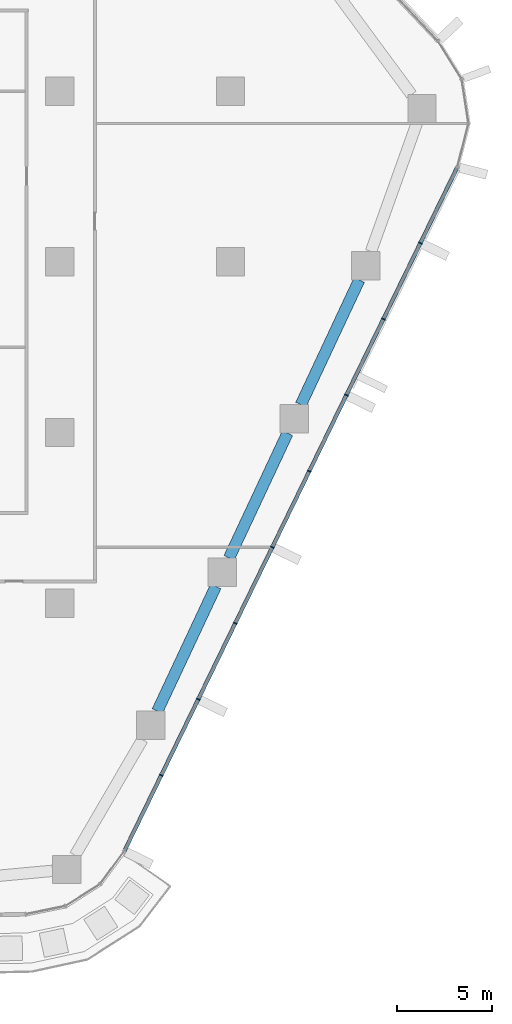
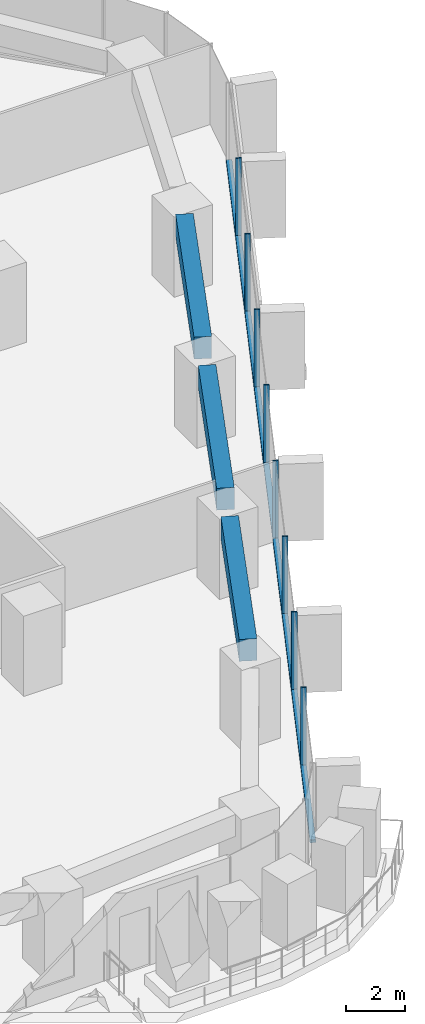
# One storey, part 7 of 25: 9 members, 3 beams, 1 element without a shape of its own.
"""IFC4 building model written with IfcOpenShell, lengths in metres."""

from ifc_helpers import new_model, si_unit, direction, frame, origin, origin_2d, place, context, subcontext, project, spatial, rectangle, extrude, material, layer, layer_set, material_profile, profile_set, type_object, element, aggregate, save


model = new_model("IFC4")

# Units and contexts
model_context = context("Model", 3, precision=1e-05, world=origin(), true_north=direction((0.0, 1.0)))
body_context = subcontext(model_context, "Body", "Model", "MODEL_VIEW")
ifc_project = project(units=[si_unit("LENGTHUNIT", "METRE"), si_unit("AREAUNIT", "SQUARE_METRE"), si_unit("VOLUMEUNIT", "CUBIC_METRE"), si_unit("PLANEANGLEUNIT", "RADIAN"), si_unit("MASSUNIT", "GRAM", prefix="KILO")], contexts=[model_context])

# Site, building, storey
site_placement = place(None, origin())
site = spatial("IfcSite", under=ifc_project, at=site_placement, CompositionType="ELEMENT")
building_placement = place(site_placement, origin())
building = spatial("IfcBuilding", under=site, at=building_placement, Name="Dongbaek Canopy Tower", CompositionType="ELEMENT")
storey_placement = place(building_placement, frame((0.0, 0.0, 81.0)))
storey = spatial("IfcBuildingStorey", under=building, at=storey_placement, Name="L16", CompositionType="ELEMENT", Elevation=81.0)

# Curtain wall, members
ifc_material_1 = material(Name="Aluminium 6063-T6 pale anodised", Category="aluminium")
ifc_layer = layer(ifc_material_1, 0.199951171875)
ifc_layer_set = layer_set([ifc_layer], Name="CW-1 unitised tower curtain wall")
curtain_wall_type = type_object("IfcCurtainWallType", Name="CW-1 unitised tower curtain wall", PredefinedType="NOTDEFINED", material=ifc_layer_set)
curtain_wall_placement = place(storey_placement, origin())
curtain_wall = element("IfcCurtainWall", 1, at=curtain_wall_placement, inside=storey, type_object=curtain_wall_type, Name="CW-1 curtain wall F5.1", PredefinedType="NOTDEFINED")
ifc_material_2 = material(Name="Aluminium 6063-T6 pale anodised", Category="aluminium")
ifc_material_profile_1 = material_profile(ifc_material_2, rectangle(XDim=0.199951171875, YDim=0.06005859375, at=origin_2d()), Name="CW-1 mullion 60 x 200")
ifc_profile_set_1 = profile_set([ifc_material_profile_1], Name="Aluminium 6063-T6 pale anodised")
member_type_1 = type_object("IfcMemberType", Name="CW-1 mullion 60 x 200", PredefinedType="MULLION", material=ifc_profile_set_1)
member_1_placement = place(storey_placement, frame((23.350341796875, -27.076904296875, 0.1201171875), z_axis=(0.0, 0.0, 1.0), x_axis=(0.899092424879, -0.437758850882, 0.0)))
member_1 = element("IfcMember", 2, at=member_1_placement, type_object=member_type_1, Name="CW-1 mullion F5.1.2", PredefinedType="MULLION", context=body_context, shape_type="SweptSolid", body=[
    extrude(rectangle(XDim=0.199951171875, YDim=0.06005859375, at=origin_2d()), origin(), (0.0, 0.0, 1.0), 3.179931640625),
])
member_2_placement = place(storey_placement, frame((25.302734375, -23.0673828125, 0.1201171875), z_axis=(0.0, 0.0, 1.0), x_axis=(0.899092424879, -0.437758850882, 0.0)))
member_2 = element("IfcMember", 3, at=member_2_placement, type_object=member_type_1, Name="CW-1 mullion F5.1.3", PredefinedType="MULLION", context=body_context, shape_type="SweptSolid", body=[
    extrude(rectangle(XDim=0.199951171875, YDim=0.06005859375, at=origin_2d()), origin(), (0.0, 0.0, 1.0), 3.179931640625),
])
member_3_placement = place(storey_placement, frame((27.2548828125, -19.057861328125, 0.1201171875), z_axis=(0.0, 0.0, 1.0), x_axis=(0.899092424879, -0.437758850882, 0.0)))
member_3 = element("IfcMember", 4, at=member_3_placement, type_object=member_type_1, Name="CW-1 mullion F5.1.4", PredefinedType="MULLION", context=body_context, shape_type="SweptSolid", body=[
    extrude(rectangle(XDim=0.199951171875, YDim=0.06005859375, at=origin_2d()), origin(), (0.0, 0.0, 1.0), 3.179931640625),
])
member_4_placement = place(storey_placement, frame((29.20703125, -15.048095703125, 0.1201171875), z_axis=(0.0, 0.0, 1.0), x_axis=(0.899092424879, -0.437758850882, 0.0)))
member_4 = element("IfcMember", 5, at=member_4_placement, type_object=member_type_1, Name="CW-1 mullion F5.1.5", PredefinedType="MULLION", context=body_context, shape_type="SweptSolid", body=[
    extrude(rectangle(XDim=0.199951171875, YDim=0.06005859375, at=origin_2d()), origin(), (0.0, 0.0, 1.0), 3.179931640625),
])
member_5_placement = place(storey_placement, frame((31.159423828125, -11.03857421875, 0.1201171875), z_axis=(0.0, 0.0, 1.0), x_axis=(0.899092424879, -0.437758850882, 0.0)))
member_5 = element("IfcMember", 6, at=member_5_placement, type_object=member_type_1, Name="CW-1 mullion F5.1.6", PredefinedType="MULLION", context=body_context, shape_type="SweptSolid", body=[
    extrude(rectangle(XDim=0.199951171875, YDim=0.06005859375, at=origin_2d()), origin(), (0.0, 0.0, 1.0), 3.179931640625),
])
member_6_placement = place(storey_placement, frame((33.111572265625, -7.029052734375, 0.1201171875), z_axis=(0.0, 0.0, 1.0), x_axis=(0.899092424879, -0.437758850882, 0.0)))
member_6 = element("IfcMember", 7, at=member_6_placement, type_object=member_type_1, Name="CW-1 mullion F5.1.7", PredefinedType="MULLION", context=body_context, shape_type="SweptSolid", body=[
    extrude(rectangle(XDim=0.199951171875, YDim=0.06005859375, at=origin_2d()), origin(), (0.0, 0.0, 1.0), 3.179931640625),
])
member_7_placement = place(storey_placement, frame((35.06396484375, -3.019287109375, 0.1201171875), z_axis=(0.0, 0.0, 1.0), x_axis=(0.899092424879, -0.437758850882, 0.0)))
member_7 = element("IfcMember", 8, at=member_7_placement, type_object=member_type_1, Name="CW-1 mullion F5.1.8", PredefinedType="MULLION", context=body_context, shape_type="SweptSolid", body=[
    extrude(rectangle(XDim=0.199951171875, YDim=0.06005859375, at=origin_2d()), origin(), (0.0, 0.0, 1.0), 3.179931640625),
])
member_8_placement = place(storey_placement, frame((37.01611328125, 0.990234375, 0.1201171875), z_axis=(0.0, 0.0, 1.0), x_axis=(0.899092424879, -0.437758850882, 0.0)))
member_8 = element("IfcMember", 9, at=member_8_placement, type_object=member_type_1, Name="CW-1 mullion F5.1.9", PredefinedType="MULLION", context=body_context, shape_type="SweptSolid", body=[
    extrude(rectangle(XDim=0.199951171875, YDim=0.06005859375, at=origin_2d()), origin(), (0.0, 0.0, 1.0), 3.179931640625),
])
ifc_material_3 = material(Name="Aluminium 6063-T6 pale anodised", Category="aluminium")
ifc_material_profile_2 = material_profile(ifc_material_3, rectangle(XDim=0.199951171875, YDim=0.1201171875, at=origin_2d()), Name="CW-1 transom 120 x 200")
ifc_profile_set_2 = profile_set([ifc_material_profile_2], Name="Aluminium 6063-T6 pale anodised")
member_type_2 = type_object("IfcMemberType", Name="CW-1 transom 120 x 200", PredefinedType="USERDEFINED", material=ifc_profile_set_2)
member_9_placement = place(storey_placement, frame((21.402099609375, -31.078369140625, 0.06005859375), z_axis=(0.437760823542, 0.899091464408, 0.0), x_axis=(-0.899091464408, 0.437760823542, 0.0)))
member_9 = element("IfcMember", 10, at=member_9_placement, type_object=member_type_2, Name="CW-1 transom F5.1.1", ObjectType="TRANSOM", PredefinedType="USERDEFINED", context=body_context, shape_type="SweptSolid", body=[
    extrude(rectangle(XDim=0.199951171875, YDim=0.1201171875, at=origin_2d()), origin(), (0.0, 0.0, 1.0), 40.1171875),
])
aggregate(curtain_wall, [member_1, member_2, member_3, member_4, member_5, member_6, member_7, member_8, member_9])

# Beams
ifc_material_4 = material(Name="Concrete C80", Category="concrete")
ifc_material_profile_3 = material_profile(ifc_material_4, rectangle(XDim=0.60009765625, YDim=0.89990234375, at=origin_2d()), Name="RC EDGE BEAM 600x900 C80")
ifc_profile_set_3 = profile_set([ifc_material_profile_3], Name="Concrete C80")
beam_type = type_object("IfcBeamType", Name="RC EDGE BEAM 600x900 C80", PredefinedType="BEAM", material=ifc_profile_set_3)
beam_1_placement = place(storey_placement, frame((33.791748046875, -0.955078125, 2.85009765625), z_axis=(-0.424064450026, -0.905632012588, 0.0), x_axis=(0.905632012588, -0.424064450026, 0.0)))
element("IfcBeam", 11, at=beam_1_placement, inside=storey, type_object=beam_type, Name="EDGEBEAM:L16:22", PredefinedType="BEAM", context=body_context, shape_type="SweptSolid", body=[
    extrude(rectangle(XDim=0.60009765625, YDim=0.89990234375, at=origin_2d()), origin(), (0.0, 0.0, 1.0), 7.264404296875),
])
beam_2_placement = place(storey_placement, frame((30.0087890625, -9.033935546875, 2.85009765625), z_axis=(-0.424110161641, -0.905610606604, 0.0), x_axis=(0.905610606604, -0.424110161641, 0.0)))
element("IfcBeam", 12, at=beam_2_placement, inside=storey, type_object=beam_type, Name="EDGEBEAM:L16:23", PredefinedType="BEAM", context=body_context, shape_type="SweptSolid", body=[
    extrude(rectangle(XDim=0.60009765625, YDim=0.89990234375, at=origin_2d()), origin(), (0.0, 0.0, 1.0), 7.265869140625),
])
beam_3_placement = place(storey_placement, frame((26.224609375, -17.114013671875, 2.85009765625), z_axis=(-0.42413422917, -0.905599335052, 0.0), x_axis=(0.905599335052, -0.42413422917, 0.0)))
element("IfcBeam", 13, at=beam_3_placement, inside=storey, type_object=beam_type, Name="EDGEBEAM:L16:24", PredefinedType="BEAM", context=body_context, shape_type="SweptSolid", body=[
    extrude(rectangle(XDim=0.60009765625, YDim=0.89990234375, at=origin_2d()), origin(), (0.0, 0.0, 1.0), 7.264892578125),
])

save(model, "model.ifc")
